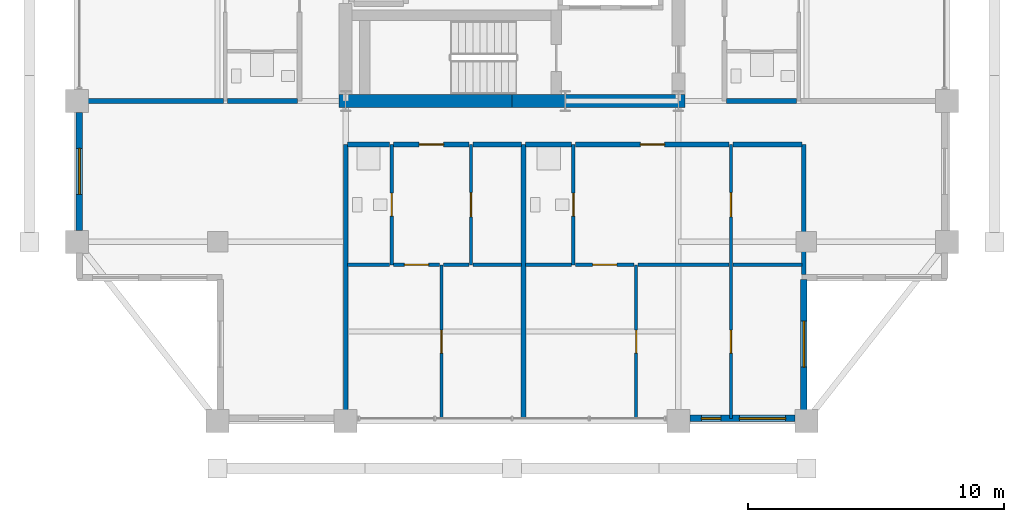
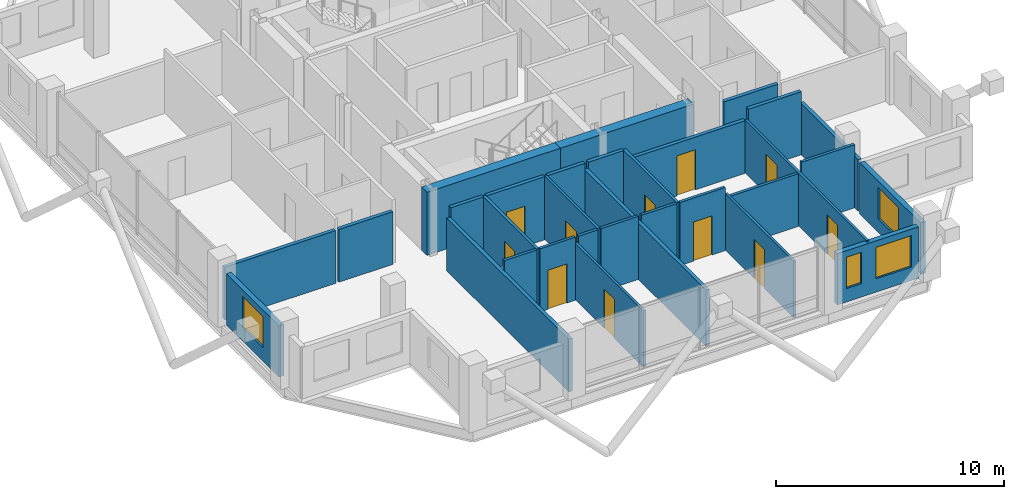
# One storey, part 18 of 24: 31 walls, 11 doors, 4 windows, 15 openings.
"""IFC4 building model written with IfcOpenShell, lengths in metres."""

import ifcopenshell
import ifcopenshell.guid

model = None  # the IFC model being written
_history = None  # IfcOwnerHistory: only IFC2X3 demands one
_inside = {}  # id of a spatial element -> (the spatial element, [elements in it])
_under = {}  # id of a project, library or spatial element -> (it, [spatial elements below it])
_declared = {}  # id of a project -> (the project, [libraries it declares])
_typed = {}  # id of a type object -> (the type object, [elements of that type])
_made_of = {}  # id of a material, layer set ... -> (it, [elements and type objects made of it])


def new_model(schema):
    """Start an empty IFC model of exactly this schema.

    Asked for "IFC4X3", IfcOpenShell would pick the latest addendum, in which some entities
    have other attributes; the version numbers below select the first issue.
    IFC2X3 requires an IfcOwnerHistory on every rooted entity: one is made here for all.
    """
    global model, _history
    if schema == "IFC4X3":
        model = ifcopenshell.file(schema_version=(4, 3, 0, 0))
    else:
        model = ifcopenshell.file(schema=schema)
    _inside.clear()
    _under.clear()
    _declared.clear()
    _typed.clear()
    _made_of.clear()
    _history = None
    if model.schema == "IFC2X3":
        org = make("IfcOrganization", Name="unknown")
        user = make(
            "IfcPersonAndOrganization",
            ThePerson=make("IfcPerson", FamilyName="unknown"),
            TheOrganization=org,
        )
        app = make(
            "IfcApplication",
            ApplicationDeveloper=org,
            Version="unknown",
            ApplicationFullName="unknown",
            ApplicationIdentifier="unknown",
        )
        _history = make(
            "IfcOwnerHistory",
            OwningUser=user,
            OwningApplication=app,
            ChangeAction="ADDED",
            CreationDate=0,
        )
    return model


def make(cls, **values):
    """One entity of the class cls with the attributes given. An attribute that is None is left unset."""
    return model.create_entity(
        cls, **{name: value for name, value in values.items() if value is not None}
    )


def rooted(cls, **values):
    """An entity with a GlobalId (a new one), such as an element, a storey or a relation."""
    return make(cls, GlobalId=ifcopenshell.guid.new(), OwnerHistory=_history, **values)


def si_unit(unit_type, name, prefix=None):
    """IfcSIUnit, for example si_unit("LENGTHUNIT", "METRE", prefix="MILLI")."""
    return make("IfcSIUnit", UnitType=unit_type, Prefix=prefix, Name=name)


def assignment(units):
    """IfcUnitAssignment: the units of a project."""
    return None if units is None else make("IfcUnitAssignment", Units=units)


def point(xyz):
    """IfcCartesianPoint."""
    return None if xyz is None else make("IfcCartesianPoint", Coordinates=xyz)


def direction(xyz):
    """IfcDirection."""
    return None if xyz is None else make("IfcDirection", DirectionRatios=xyz)


def frame(location, z_axis=None, x_axis=None):
    """IfcAxis2Placement3D, a coordinate frame: its origin and axes. An axis left out is left unset."""
    return make(
        "IfcAxis2Placement3D",
        Location=point(location),
        Axis=direction(z_axis),
        RefDirection=direction(x_axis),
    )


def frame_2d(location, x_axis=None):
    """IfcAxis2Placement2D, a coordinate frame in the plane: its origin and x axis."""
    return make(
        "IfcAxis2Placement2D", Location=point(location), RefDirection=direction(x_axis)
    )


def origin():
    """The frame at (0, 0, 0) with its axes left unset."""
    return frame((0.0, 0.0, 0.0))


def place(relative_to, where):
    """IfcLocalPlacement: puts the frame where relative to a parent placement (None: the world)."""
    return make(
        "IfcLocalPlacement", PlacementRelTo=relative_to, RelativePlacement=where
    )


def context(
    kind, dimensions, precision=None, world=None, true_north=None, identifier=None
):
    """IfcGeometricRepresentationContext, for example the 3D "Model" context."""
    return make(
        "IfcGeometricRepresentationContext",
        ContextIdentifier=identifier,
        ContextType=kind,
        CoordinateSpaceDimension=dimensions,
        Precision=precision,
        WorldCoordinateSystem=world,
        TrueNorth=true_north,
    )


def subcontext(parent, identifier, kind, view, scale=None):
    """IfcGeometricRepresentationSubContext, for example "Body" below "Model"."""
    return make(
        "IfcGeometricRepresentationSubContext",
        ContextIdentifier=identifier,
        ContextType=kind,
        ParentContext=parent,
        TargetScale=scale,
        TargetView=view,
    )


def project(units=None, contexts=None):
    """IfcProject with its units and contexts."""
    return rooted(
        "IfcProject",
        Name="project",
        RepresentationContexts=contexts,
        UnitsInContext=assignment(units),
    )


def spatial(cls, under=None, at=None, **own):
    """A site, building, storey or space (cls), placed at a placement, below another one or the project."""
    s = rooted(cls, ObjectPlacement=at, **own)
    if under is not None:
        _under.setdefault(under.id(), (under, []))[1].append(s)
    return s


def profile(cls, at=None, kind="AREA", **sizes):
    """A parametric profile (cls). Its sizes go by their IFC names, for example OverallWidth=200.0."""
    return make(cls, ProfileType=kind, Position=at, **sizes)


def rectangle(**sizes):
    """IfcRectangleProfileDef."""
    return profile("IfcRectangleProfileDef", **sizes)


def extrude(swept, where, along, depth):
    """IfcExtrudedAreaSolid: the profile swept, set in the frame where, extruded along a direction by depth."""
    return make(
        "IfcExtrudedAreaSolid",
        SweptArea=swept,
        Position=where,
        ExtrudedDirection=direction(along),
        Depth=depth,
    )


def shape(context_of_items, identifier, shape_type, items):
    """IfcShapeRepresentation: the items that make up one representation, for example the "Body"."""
    return make(
        "IfcShapeRepresentation",
        ContextOfItems=context_of_items,
        RepresentationIdentifier=identifier,
        RepresentationType=shape_type,
        Items=items,
    )


def material(Name=None, Category=None):
    """IfcMaterial."""
    return make("IfcMaterial", Name=Name, Category=Category)


def layer(
    of_material, thickness, ventilated=None, Name=None, Category=None, Priority=None
):
    """IfcMaterialLayer: one layer of a wall or slab, of a material (None: an air gap)."""
    return make(
        "IfcMaterialLayer",
        Material=of_material,
        LayerThickness=thickness,
        IsVentilated=ventilated,
        Name=Name,
        Category=Category,
        Priority=Priority,
    )


def layer_set(layers, Name=None):
    """IfcMaterialLayerSet."""
    return make("IfcMaterialLayerSet", MaterialLayers=layers, LayerSetName=Name)


def made_of(thing, what):
    """Note that an element or type object is made of a material, layer set ...; save() writes the relation."""
    if what is not None:
        _made_of.setdefault(what.id(), (what, []))[1].append(thing)
    return thing


def type_object(cls, material=None, **own):
    """A type object (cls), such as IfcWallType, which elements share."""
    return made_of(rooted(cls, **own), material)


def element(
    cls,
    number,
    at=None,
    inside=None,
    cuts=None,
    type_object=None,
    material=None,
    context=None,
    identifier="Body",
    shape_type=None,
    held_by="IfcProductDefinitionShape",
    body=None,
    shapes=None,
    **own,
):
    """One element of the class cls, such as IfcWall. Its Tag is "e" and its number.

    at: its placement. inside: the storey or other place that contains it. cuts: it is an
    opening in that element (IfcRelVoidsElement). A single representation is given by context,
    identifier, shape_type and body (its items); several are given by shapes. held_by: the class
    of the entity that holds the representations. save() writes the other relations.
    """
    e = rooted(cls, Tag="e%d" % number, ObjectPlacement=at, **own)
    if body is not None:
        shapes = [shape(context, identifier, shape_type, body)]
    if shapes is not None:
        e.Representation = make(held_by, Representations=shapes)
    if inside is not None:
        _inside.setdefault(inside.id(), (inside, []))[1].append(e)
    if cuts is not None:
        rooted(
            "IfcRelVoidsElement", RelatingBuildingElement=cuts, RelatedOpeningElement=e
        )
    if type_object is not None:
        _typed.setdefault(type_object.id(), (type_object, []))[1].append(e)
    return made_of(e, material)


def fill(opening, filler):
    """IfcRelFillsElement: the door or window that sits in an opening."""
    return rooted(
        "IfcRelFillsElement",
        RelatingOpeningElement=opening,
        RelatedBuildingElement=filler,
    )


def aggregate(whole, parts):
    """IfcRelAggregates: a whole, such as a stair, and the parts it consists of."""
    return rooted("IfcRelAggregates", RelatingObject=whole, RelatedObjects=parts)


def save(model, path):
    """Write the relations noted so far, then the file.

    IfcRelAggregates (storeys below a building ...), IfcRelContainedInSpatialStructure (elements
    in a storey), IfcRelDefinesByType, IfcRelAssociatesMaterial and IfcRelDeclares: one each for
    every whole, place, type object, material and project.
    """
    for whole, parts in _under.values():
        aggregate(whole, parts)
    for where, things in _inside.values():
        rooted(
            "IfcRelContainedInSpatialStructure",
            RelatedElements=things,
            RelatingStructure=where,
        )
    for kind, things in _typed.values():
        rooted("IfcRelDefinesByType", RelatedObjects=things, RelatingType=kind)
    for what, things in _made_of.values():
        rooted("IfcRelAssociatesMaterial", RelatedObjects=things, RelatingMaterial=what)
    for by, libraries in _declared.values():
        rooted("IfcRelDeclares", RelatingContext=by, RelatedDefinitions=libraries)
    model.write(path)


model = new_model("IFC4")

# Units and contexts
model_context = context("Model", 3, precision=1e-05, world=origin(), true_north=direction((0.0, 1.0)))
body_context = subcontext(model_context, "Body", "Model", "MODEL_VIEW")
ifc_project = project(units=[si_unit("LENGTHUNIT", "METRE"), si_unit("AREAUNIT", "SQUARE_METRE"), si_unit("VOLUMEUNIT", "CUBIC_METRE"), si_unit("PLANEANGLEUNIT", "RADIAN"), si_unit("MASSUNIT", "GRAM", prefix="KILO")], contexts=[model_context])

# Site, building, storey
site_placement = place(None, origin())
site = spatial("IfcSite", under=ifc_project, at=site_placement, CompositionType="ELEMENT")
building_placement = place(site_placement, origin())
building = spatial("IfcBuilding", under=site, at=building_placement, Name="Barlavira Tower and Art Museum", CompositionType="ELEMENT")
storey_placement = place(building_placement, frame((0.0, 0.0, 225.89990234375)))
storey = spatial("IfcBuildingStorey", under=building, at=storey_placement, Name="L58", CompositionType="ELEMENT", Elevation=225.89990234375)

# Wall, opening, door
ifc_material_1 = material(Name="Gypsum acoustic stud partition", Category="gypsum")
ifc_layer_1 = layer(ifc_material_1, 0.1201171875, Name="Gypsum acoustic stud partition")
ifc_layer_set_1 = layer_set([ifc_layer_1], Name="Gypsum acoustic stud partition")
wall_type_1 = type_object("IfcWallType", Name="Apartment Internal Acoustic Partition 120", PredefinedType="PARTITIONING", material=ifc_layer_set_1)
wall_1_placement = place(storey_placement, frame((-2.75, -19.89990234375, 0.0), z_axis=(0.0, 0.0, 1.0), x_axis=(0.0, 1.0, 0.0)))
wall_1 = element("IfcWall", 1, at=wall_1_placement, inside=storey, type_object=wall_type_1, Name="L58 Partition Wall 9", PredefinedType="PARTITIONING", context=body_context, shape_type="SweptSolid", body=[
    extrude(rectangle(XDim=6.0, YDim=0.1201171875, at=frame_2d((3.0, 0.0))), origin(), (0.0, 0.0, 1.0), 3.01806640625),
])
opening_1_placement = place(wall_1_placement, frame((2.550048828125, 0.0, 0.0)))
opening_1 = element("IfcOpeningElement", 2, at=opening_1_placement, cuts=wall_1, Name="Opening D-01", PredefinedType="OPENING", context=body_context, shape_type="SweptSolid", body=[
    extrude(rectangle(XDim=0.89990234375, YDim=2.10009765625, at=frame_2d((0.449951171875, 1.050048828125))), frame((0.0, 0.070068359375, 0.0), z_axis=(0.0, -1.0, 0.0), x_axis=(1.0, 0.0, 0.0)), (0.0, 0.0, 1.0), 0.14013671875),
])
ifc_material_2 = material(Name="Engineered coastal hardwood", Category="wood")
door_type_1 = type_object("IfcDoorType", Name="Internal Bedroom Timber Flush Door 900x2100", OperationType="NOTDEFINED", PredefinedType="DOOR", material=ifc_material_2)
door_1_placement = place(opening_1_placement, origin())
door_1 = element("IfcDoor", 3, at=door_1_placement, inside=storey, type_object=door_type_1, Name="Apartment S1 Bedroom 1 Door", OperationType="SINGLE_SWING_RIGHT", OverallHeight=2.10009765625, OverallWidth=0.89990234375, PredefinedType="DOOR", context=body_context, shape_type="SweptSolid", body=[
    extrude(rectangle(XDim=0.89990234375, YDim=2.10009765625, at=frame_2d((0.449951171875, 1.050048828125))), frame((0.0, 0.02490234375, 0.0), z_axis=(0.0, -1.0, 0.0), x_axis=(1.0, 0.0, 0.0)), (0.0, 0.0, 1.0), 0.050048828125),
])
fill(opening_1, door_1)

wall_2_placement = place(storey_placement, frame((-1.60009765625, -13.89990234375, 0.0), z_axis=(0.0, 0.0, 1.0), x_axis=(0.0, 1.0, 0.0)))
wall_2 = element("IfcWall", 4, at=wall_2_placement, inside=storey, type_object=wall_type_1, Name="L58 Partition Wall 11", PredefinedType="PARTITIONING", context=body_context, shape_type="SweptSolid", body=[
    extrude(rectangle(XDim=4.699951171875, YDim=0.1201171875, at=frame_2d((2.35009765625, 0.0))), origin(), (0.0, 0.0, 1.0), 3.380126953125),
])
opening_2_placement = place(wall_2_placement, frame((1.875, 0.0, 0.0)))
opening_2 = element("IfcOpeningElement", 5, at=opening_2_placement, cuts=wall_2, Name="Opening D-02", PredefinedType="OPENING", context=body_context, shape_type="SweptSolid", body=[
    extrude(rectangle(XDim=0.949951171875, YDim=2.10009765625, at=frame_2d((0.47509765625, 1.050048828125))), frame((0.0, 0.070068359375, 0.0), z_axis=(0.0, -1.0, 0.0), x_axis=(1.0, 0.0, 0.0)), (0.0, 0.0, 1.0), 0.14013671875),
])
door_type_2 = type_object("IfcDoorType", Name="Living and Salon Glazed-Leaf Door 950x2100", OperationType="NOTDEFINED", PredefinedType="DOOR", material=ifc_material_2)
door_2_placement = place(opening_2_placement, origin())
door_2 = element("IfcDoor", 6, at=door_2_placement, inside=storey, type_object=door_type_2, Name="Apartment S1 Kitchen Door", OperationType="SINGLE_SWING_RIGHT", OverallHeight=2.10009765625, OverallWidth=0.949951171875, PredefinedType="DOOR", context=body_context, shape_type="SweptSolid", body=[
    extrude(rectangle(XDim=0.949951171875, YDim=2.10009765625, at=frame_2d((0.47509765625, 1.050048828125))), frame((0.0, 0.02490234375, 0.0), z_axis=(0.0, -1.0, 0.0), x_axis=(1.0, 0.0, 0.0)), (0.0, 0.0, 1.0), 0.050048828125),
])
fill(opening_2, door_2)

wall_3_placement = place(storey_placement, frame((4.85009765625, -19.89990234375, 0.0), z_axis=(0.0, 0.0, 1.0), x_axis=(0.0, 1.0, 0.0)))
wall_3 = element("IfcWall", 7, at=wall_3_placement, inside=storey, type_object=wall_type_1, Name="L58 Partition Wall 19", PredefinedType="PARTITIONING", context=body_context, shape_type="SweptSolid", body=[
    extrude(rectangle(XDim=6.0, YDim=0.1201171875, at=frame_2d((3.0, 0.0))), origin(), (0.0, 0.0, 1.0), 3.01806640625),
])
opening_3_placement = place(wall_3_placement, frame((2.550048828125, 0.0, 0.0)))
opening_3 = element("IfcOpeningElement", 8, at=opening_3_placement, cuts=wall_3, Name="Opening D-01", PredefinedType="OPENING", context=body_context, shape_type="SweptSolid", body=[
    extrude(rectangle(XDim=0.89990234375, YDim=2.10009765625, at=frame_2d((0.449951171875, 1.050048828125))), frame((0.0, 0.070068359375, 0.0), z_axis=(0.0, -1.0, 0.0), x_axis=(1.0, 0.0, 0.0)), (0.0, 0.0, 1.0), 0.14013671875),
])
door_3_placement = place(opening_3_placement, origin())
door_3 = element("IfcDoor", 9, at=door_3_placement, inside=storey, type_object=door_type_1, Name="Apartment S2 Bedroom 1 Door", OperationType="SINGLE_SWING_LEFT", OverallHeight=2.10009765625, OverallWidth=0.89990234375, PredefinedType="DOOR", context=body_context, shape_type="SweptSolid", body=[
    extrude(rectangle(XDim=0.89990234375, YDim=2.10009765625, at=frame_2d((0.449951171875, 1.050048828125))), frame((0.0, 0.02490234375, 0.0), z_axis=(0.0, -1.0, 0.0), x_axis=(1.0, 0.0, 0.0)), (0.0, 0.0, 1.0), 0.050048828125),
])
fill(opening_3, door_3)

# Wall, openings, doors
wall_4_placement = place(storey_placement, frame((8.550048828125, -19.89990234375, 0.0), z_axis=(0.0, 0.0, 1.0), x_axis=(0.0, 1.0, 0.0)))
wall_4 = element("IfcWall", 10, at=wall_4_placement, inside=storey, type_object=wall_type_1, Name="L58 Partition Wall 24", PredefinedType="PARTITIONING", context=body_context, shape_type="SweptSolid", body=[
    extrude(rectangle(XDim=10.699951171875, YDim=0.1201171875, at=frame_2d((5.35009765625, 0.0))), origin(), (0.0, 0.0, 1.0), 2.826171875),
])
opening_4_placement = place(wall_4_placement, frame((7.875, 0.0, 0.0)))
opening_4 = element("IfcOpeningElement", 11, at=opening_4_placement, cuts=wall_4, Name="Opening D-02", PredefinedType="OPENING", context=body_context, shape_type="SweptSolid", body=[
    extrude(rectangle(XDim=0.949951171875, YDim=2.10009765625, at=frame_2d((0.47509765625, 1.050048828125))), frame((0.0, 0.070068359375, 0.0), z_axis=(0.0, -1.0, 0.0), x_axis=(1.0, 0.0, 0.0)), (0.0, 0.0, 1.0), 0.14013671875),
])
opening_5_placement = place(wall_4_placement, frame((2.550048828125, 0.0, 0.0)))
opening_5 = element("IfcOpeningElement", 12, at=opening_5_placement, cuts=wall_4, Name="Opening D-01", PredefinedType="OPENING", context=body_context, shape_type="SweptSolid", body=[
    extrude(rectangle(XDim=0.89990234375, YDim=2.10009765625, at=frame_2d((0.449951171875, 1.050048828125))), frame((0.0, 0.070068359375, 0.0), z_axis=(0.0, -1.0, 0.0), x_axis=(1.0, 0.0, 0.0)), (0.0, 0.0, 1.0), 0.14013671875),
])
door_4_placement = place(opening_5_placement, origin())
door_4 = element("IfcDoor", 13, at=door_4_placement, inside=storey, type_object=door_type_1, Name="Apartment S2 Bedroom 2 Door", OperationType="SINGLE_SWING_RIGHT", OverallHeight=2.10009765625, OverallWidth=0.89990234375, PredefinedType="DOOR", context=body_context, shape_type="SweptSolid", body=[
    extrude(rectangle(XDim=0.89990234375, YDim=2.10009765625, at=frame_2d((0.449951171875, 1.050048828125))), frame((0.0, 0.02490234375, 0.0), z_axis=(0.0, -1.0, 0.0), x_axis=(1.0, 0.0, 0.0)), (0.0, 0.0, 1.0), 0.050048828125),
])
fill(opening_5, door_4)
door_5_placement = place(opening_4_placement, origin())
door_5 = element("IfcDoor", 14, at=door_5_placement, inside=storey, type_object=door_type_2, Name="Apartment S2 Kitchen Door", OperationType="SINGLE_SWING_LEFT", OverallHeight=2.10009765625, OverallWidth=0.949951171875, PredefinedType="DOOR", context=body_context, shape_type="SweptSolid", body=[
    extrude(rectangle(XDim=0.949951171875, YDim=2.10009765625, at=frame_2d((0.47509765625, 1.050048828125))), frame((0.0, 0.02490234375, 0.0), z_axis=(0.0, -1.0, 0.0), x_axis=(1.0, 0.0, 0.0)), (0.0, 0.0, 1.0), 0.050048828125),
])
fill(opening_4, door_5)

# Walls
ifc_material_3 = material(Name="Concrete C60", Category="concrete")
ifc_layer_2 = layer(ifc_material_3, 0.5, Name="Concrete C60")
ifc_layer_set_2 = layer_set([ifc_layer_2], Name="Concrete C60")
wall_type_2 = type_object("IfcWallType", Name="Core Structural Shear Wall 500 Concrete C60", PredefinedType="SHEAR", material=ifc_layer_set_2)
for number, where, z_axis, x_axis, name in (
    (15, (-6.75, -7.5, 0.0), (0.0, 0.0, 1.0), (1.0, 0.0, 0.0), "L58 Core Shear Wall CS-SW"),
    (16, (0.0, -7.5, 0.0), (0.0, 0.0, 1.0), (1.0, 0.0, 0.0), "L58 Core Shear Wall CS-SE"),
):
    element("IfcWall", number, at=place(storey_placement, frame(where, z_axis=z_axis, x_axis=x_axis)), inside=storey, type_object=wall_type_2, Name=name, PredefinedType="SHEAR", context=body_context, shape_type="SweptSolid", body=[
        extrude(rectangle(XDim=6.75, YDim=0.5, at=frame_2d((3.375, 0.0))), origin(), (0.0, 0.0, 1.0), 3.380126953125),
    ])
ifc_layer_3 = layer(ifc_material_1, 0.179931640625, Name="Gypsum acoustic stud partition")
ifc_layer_set_3 = layer_set([ifc_layer_3], Name="Gypsum acoustic stud partition")
wall_type_3 = type_object("IfcWallType", Name="Inter-Tenancy Party Partition Wall 180", PredefinedType="PARTITIONING", material=ifc_layer_set_3)
wall_5_placement = place(storey_placement, frame((-6.5, -19.89990234375, 0.0), z_axis=(0.0, 0.0, 1.0), x_axis=(0.0, 1.0, 0.0)))
element("IfcWall", 17, at=wall_5_placement, inside=storey, type_object=wall_type_3, Name="L58 Partition Wall 3", PredefinedType="PARTITIONING", context=body_context, shape_type="SweptSolid", body=[
    extrude(rectangle(XDim=10.699951171875, YDim=0.179931640625, at=frame_2d((5.35009765625, 0.0))), origin(), (0.0, 0.0, 1.0), 2.826171875),
])
wall_6_placement = place(storey_placement, frame((0.449951171875, -19.89990234375, 0.0), z_axis=(0.0, 0.0, 1.0), x_axis=(0.0, 1.0, 0.0)))
element("IfcWall", 18, at=wall_6_placement, inside=storey, type_object=wall_type_3, Name="L58 Partition Wall 13", PredefinedType="PARTITIONING", context=body_context, shape_type="SweptSolid", body=[
    extrude(rectangle(XDim=10.699951171875, YDim=0.179931640625, at=frame_2d((5.35009765625, 0.0))), origin(), (0.0, 0.0, 1.0), 3.01806640625),
])
wall_7_placement = place(storey_placement, frame((11.39990234375, -14.27001953125, 0.0), z_axis=(0.0, 0.0, 1.0), x_axis=(0.0, 1.0, 0.0)))
element("IfcWall", 19, at=wall_7_placement, inside=storey, type_object=wall_type_3, Name="L58 Partition Wall 28", PredefinedType="PARTITIONING", context=body_context, shape_type="SweptSolid", body=[
    extrude(rectangle(XDim=5.070068359375, YDim=0.179931640625, at=frame_2d((2.53515625, 0.0))), origin(), (0.0, 0.0, 1.0), 2.748046875),
])
wall_8_placement = place(storey_placement, frame((-6.419921875, -9.199951171875, 0.0), z_axis=(0.0, 0.0, 1.0), x_axis=(1.0, 0.0, 0.0)))
element("IfcWall", 20, at=wall_8_placement, inside=storey, type_object=wall_type_3, Name="L58 Partition Wall 38", PredefinedType="PARTITIONING", context=body_context, shape_type="SweptSolid", body=[
    extrude(rectangle(XDim=1.639892578125, YDim=0.179931640625, at=frame_2d((0.81982421875, 0.0))), origin(), (0.0, 0.0, 1.0), 3.380126953125),
])

# Wall, opening, door
wall_9_placement = place(storey_placement, frame((-4.6201171875, -9.199951171875, 0.0), z_axis=(0.0, 0.0, 1.0), x_axis=(1.0, 0.0, 0.0)))
wall_9 = element("IfcWall", 21, at=wall_9_placement, inside=storey, type_object=wall_type_3, Name="L58 Partition Wall 39", PredefinedType="PARTITIONING", context=body_context, shape_type="SweptSolid", body=[
    extrude(rectangle(XDim=2.940185546875, YDim=0.179931640625, at=frame_2d((1.47021484375, 0.0))), origin(), (0.0, 0.0, 1.0), 3.380126953125),
])
opening_6_placement = place(wall_9_placement, frame((0.9951171875, 0.0, 0.0)))
opening_6 = element("IfcOpeningElement", 22, at=opening_6_placement, cuts=wall_9, Name="Opening FD-60", PredefinedType="OPENING", context=body_context, shape_type="SweptSolid", body=[
    extrude(rectangle(XDim=0.949951171875, YDim=2.14990234375, at=frame_2d((0.47509765625, 1.074951171875))), frame((0.0, 0.10009765625, 0.0), z_axis=(0.0, -1.0, 0.0), x_axis=(1.0, 0.0, 0.0)), (0.0, 0.0, 1.0), 0.199951171875),
])
ifc_material_4 = material(Name="Brushed stainless steel", Category="steel")
door_type_3 = type_object("IfcDoorType", Name="Apartment Entrance and Riser Fire Door 950x2150 FD60S", OperationType="NOTDEFINED", PredefinedType="DOOR", material=ifc_material_4)
door_6_placement = place(opening_6_placement, origin())
door_6 = element("IfcDoor", 23, at=door_6_placement, inside=storey, type_object=door_type_3, Name="Apartment Entrance Hall S1 Door", OperationType="SINGLE_SWING_LEFT", OverallHeight=2.14990234375, OverallWidth=0.949951171875, PredefinedType="DOOR", context=body_context, shape_type="SweptSolid", body=[
    extrude(rectangle(XDim=0.949951171875, YDim=2.14990234375, at=frame_2d((0.47509765625, 1.074951171875))), frame((0.0, 0.02490234375, 0.0), z_axis=(0.0, -1.0, 0.0), x_axis=(1.0, 0.0, 0.0)), (0.0, 0.0, 1.0), 0.050048828125),
])
fill(opening_6, door_6)

# Walls
wall_10_placement = place(storey_placement, frame((-1.52001953125, -9.199951171875, 0.0), z_axis=(0.0, 0.0, 1.0), x_axis=(1.0, 0.0, 0.0)))
element("IfcWall", 24, at=wall_10_placement, inside=storey, type_object=wall_type_3, Name="L58 Partition Wall 40", PredefinedType="PARTITIONING", context=body_context, shape_type="SweptSolid", body=[
    extrude(rectangle(XDim=1.89013671875, YDim=0.179931640625, at=frame_2d((0.945068359375, 0.0))), origin(), (0.0, 0.0, 1.0), 3.380126953125),
])
wall_11_placement = place(storey_placement, frame((0.530029296875, -9.199951171875, 0.0), z_axis=(0.0, 0.0, 1.0), x_axis=(1.0, 0.0, 0.0)))
element("IfcWall", 25, at=wall_11_placement, inside=storey, type_object=wall_type_3, Name="L58 Partition Wall 41", PredefinedType="PARTITIONING", context=body_context, shape_type="SweptSolid", body=[
    extrude(rectangle(XDim=1.7900390625, YDim=0.179931640625, at=frame_2d((0.89501953125, 0.0))), origin(), (0.0, 0.0, 1.0), 3.380126953125),
])

# Wall, opening, door
wall_12_placement = place(storey_placement, frame((2.47998046875, -9.199951171875, 0.0), z_axis=(0.0, 0.0, 1.0), x_axis=(1.0, 0.0, 0.0)))
wall_12 = element("IfcWall", 26, at=wall_12_placement, inside=storey, type_object=wall_type_3, Name="L58 Partition Wall 42", PredefinedType="PARTITIONING", context=body_context, shape_type="SweptSolid", body=[
    extrude(rectangle(XDim=5.989990234375, YDim=0.179931640625, at=frame_2d((2.9951171875, 0.0))), origin(), (0.0, 0.0, 1.0), 2.826171875),
])
opening_7_placement = place(wall_12_placement, frame((2.534912109375, 0.0, 0.0)))
opening_7 = element("IfcOpeningElement", 27, at=opening_7_placement, cuts=wall_12, Name="Opening FD-60", PredefinedType="OPENING", context=body_context, shape_type="SweptSolid", body=[
    extrude(rectangle(XDim=0.949951171875, YDim=2.14990234375, at=frame_2d((0.47509765625, 1.074951171875))), frame((0.0, 0.10009765625, 0.0), z_axis=(0.0, -1.0, 0.0), x_axis=(1.0, 0.0, 0.0)), (0.0, 0.0, 1.0), 0.199951171875),
])
door_7_placement = place(opening_7_placement, origin())
door_7 = element("IfcDoor", 28, at=door_7_placement, inside=storey, type_object=door_type_3, Name="Apartment Entrance Hall S2 Door", OperationType="SINGLE_SWING_RIGHT", OverallHeight=2.14990234375, OverallWidth=0.949951171875, PredefinedType="DOOR", context=body_context, shape_type="SweptSolid", body=[
    extrude(rectangle(XDim=0.949951171875, YDim=2.14990234375, at=frame_2d((0.47509765625, 1.074951171875))), frame((0.0, 0.02490234375, 0.0), z_axis=(0.0, -1.0, 0.0), x_axis=(1.0, 0.0, 0.0)), (0.0, 0.0, 1.0), 0.050048828125),
])
fill(opening_7, door_7)

# Walls
wall_13_placement = place(storey_placement, frame((8.6298828125, -9.199951171875, 0.0), z_axis=(0.0, 0.0, 1.0), x_axis=(1.0, 0.0, 0.0)))
element("IfcWall", 29, at=wall_13_placement, inside=storey, type_object=wall_type_3, Name="L58 Partition Wall 43", PredefinedType="PARTITIONING", context=body_context, shape_type="SweptSolid", body=[
    extrude(rectangle(XDim=2.690185546875, YDim=0.179931640625, at=frame_2d((1.34521484375, 0.0))), origin(), (0.0, 0.0, 1.0), 3.380126953125),
])
wall_14_placement = place(storey_placement, frame((-16.89990234375, -7.5, 0.0), z_axis=(0.0, 0.0, 1.0), x_axis=(1.0, 0.0, 0.0)))
element("IfcWall", 30, at=wall_14_placement, inside=storey, type_object=wall_type_3, Name="L58 Partition Wall 44", PredefinedType="PARTITIONING", context=body_context, shape_type="SweptSolid", body=[
    extrude(rectangle(XDim=5.619873046875, YDim=0.179931640625, at=frame_2d((2.81005859375, 0.0))), origin(), (0.0, 0.0, 1.0), 2.826171875),
])
for number, where, z_axis, x_axis, name in (
    (31, (-11.1201171875, -7.5, 0.0), (0.0, 0.0, 1.0), (1.0, 0.0, 0.0), "L58 Partition Wall 45"),
    (32, (8.3798828125, -7.5, 0.0), (0.0, 0.0, 1.0), (1.0, 0.0, 0.0), "L58 Partition Wall 46"),
):
    element("IfcWall", number, at=place(storey_placement, frame(where, z_axis=z_axis, x_axis=x_axis)), inside=storey, type_object=wall_type_3, Name=name, PredefinedType="PARTITIONING", context=body_context, shape_type="SweptSolid", body=[
        extrude(rectangle(XDim=2.740234375, YDim=0.179931640625, at=frame_2d((1.3701171875, 0.0))), origin(), (0.0, 0.0, 1.0), 2.826171875),
    ])

# Wall, opening, door
ifc_layer_4 = layer(ifc_material_1, 0.139892578125, Name="Gypsum acoustic stud partition")
ifc_layer_set_4 = layer_set([ifc_layer_4], Name="Gypsum acoustic stud partition")
wall_type_4 = type_object("IfcWallType", Name="Moisture-Resistant Bathroom Partition 140", PredefinedType="PARTITIONING", material=ifc_layer_set_4)
wall_15_placement = place(storey_placement, frame((-4.699951171875, -13.89990234375, 0.0), z_axis=(0.0, 0.0, 1.0), x_axis=(0.0, 1.0, 0.0)))
wall_15 = element("IfcWall", 33, at=wall_15_placement, inside=storey, type_object=wall_type_4, Name="L58 Partition Wall 6", PredefinedType="PARTITIONING", context=body_context, shape_type="SweptSolid", body=[
    extrude(rectangle(XDim=4.699951171875, YDim=0.139892578125, at=frame_2d((2.35009765625, 0.0))), origin(), (0.0, 0.0, 1.0), 3.380126953125),
])
opening_8_placement = place(wall_15_placement, frame((1.89990234375, 0.0, 0.0)))
opening_8 = element("IfcOpeningElement", 34, at=opening_8_placement, cuts=wall_15, Name="Opening D-WC", PredefinedType="OPENING", context=body_context, shape_type="SweptSolid", body=[
    extrude(rectangle(XDim=0.89990234375, YDim=2.10009765625, at=frame_2d((0.449951171875, 1.050048828125))), frame((0.0, 0.080078125, 0.0), z_axis=(0.0, -1.0, 0.0), x_axis=(1.0, 0.0, 0.0)), (0.0, 0.0, 1.0), 0.159912109375),
])
door_type_4 = type_object("IfcDoorType", Name="Accessible Bathroom Flush Door 900x2100", OperationType="NOTDEFINED", PredefinedType="DOOR", material=ifc_material_2)
door_8_placement = place(opening_8_placement, origin())
door_8 = element("IfcDoor", 35, at=door_8_placement, inside=storey, type_object=door_type_4, Name="Apartment S1 Hall Bathroom Door", OperationType="SINGLE_SWING_RIGHT", OverallHeight=2.10009765625, OverallWidth=0.89990234375, PredefinedType="DOOR", context=body_context, shape_type="SweptSolid", body=[
    extrude(rectangle(XDim=0.89990234375, YDim=2.10009765625, at=frame_2d((0.449951171875, 1.050048828125))), frame((0.0, 0.02490234375, 0.0), z_axis=(0.0, -1.0, 0.0), x_axis=(1.0, 0.0, 0.0)), (0.0, 0.0, 1.0), 0.050048828125),
])
fill(opening_8, door_8)

wall_16_placement = place(storey_placement, frame((2.39990234375, -13.89990234375, 0.0), z_axis=(0.0, 0.0, 1.0), x_axis=(0.0, 1.0, 0.0)))
wall_16 = element("IfcWall", 36, at=wall_16_placement, inside=storey, type_object=wall_type_4, Name="L58 Partition Wall 15", PredefinedType="PARTITIONING", context=body_context, shape_type="SweptSolid", body=[
    extrude(rectangle(XDim=4.699951171875, YDim=0.139892578125, at=frame_2d((2.35009765625, 0.0))), origin(), (0.0, 0.0, 1.0), 3.380126953125),
])
opening_9_placement = place(wall_16_placement, frame((1.89990234375, 0.0, 0.0)))
opening_9 = element("IfcOpeningElement", 37, at=opening_9_placement, cuts=wall_16, Name="Opening D-WC", PredefinedType="OPENING", context=body_context, shape_type="SweptSolid", body=[
    extrude(rectangle(XDim=0.89990234375, YDim=2.10009765625, at=frame_2d((0.449951171875, 1.050048828125))), frame((0.0, 0.080078125, 0.0), z_axis=(0.0, -1.0, 0.0), x_axis=(1.0, 0.0, 0.0)), (0.0, 0.0, 1.0), 0.159912109375),
])
door_9_placement = place(opening_9_placement, origin())
door_9 = element("IfcDoor", 38, at=door_9_placement, inside=storey, type_object=door_type_4, Name="Apartment S2 Hall Bathroom Door", OperationType="SINGLE_SWING_LEFT", OverallHeight=2.10009765625, OverallWidth=0.89990234375, PredefinedType="DOOR", context=body_context, shape_type="SweptSolid", body=[
    extrude(rectangle(XDim=0.89990234375, YDim=2.10009765625, at=frame_2d((0.449951171875, 1.050048828125))), frame((0.0, 0.02490234375, 0.0), z_axis=(0.0, -1.0, 0.0), x_axis=(1.0, 0.0, 0.0)), (0.0, 0.0, 1.0), 0.050048828125),
])
fill(opening_9, door_9)

# Wall
wall_17_placement = place(storey_placement, frame((-6.419921875, -13.89990234375, 0.0), z_axis=(0.0, 0.0, 1.0), x_axis=(1.0, 0.0, 0.0)))
element("IfcWall", 39, at=wall_17_placement, inside=storey, type_object=wall_type_4, Name="L58 Partition Wall 30", PredefinedType="PARTITIONING", context=body_context, shape_type="SweptSolid", body=[
    extrude(rectangle(XDim=1.639892578125, YDim=0.139892578125, at=frame_2d((0.81982421875, 0.0))), origin(), (0.0, 0.0, 1.0), 3.380126953125),
])

# Wall, opening, door
wall_18_placement = place(storey_placement, frame((-4.6201171875, -13.89990234375, 0.0), z_axis=(0.0, 0.0, 1.0), x_axis=(1.0, 0.0, 0.0)))
wall_18 = element("IfcWall", 40, at=wall_18_placement, inside=storey, type_object=wall_type_4, Name="L58 Partition Wall 31", PredefinedType="PARTITIONING", context=body_context, shape_type="SweptSolid", body=[
    extrude(rectangle(XDim=1.7900390625, YDim=0.139892578125, at=frame_2d((0.89501953125, 0.0))), origin(), (0.0, 0.0, 1.0), 3.380126953125),
])
opening_10_placement = place(wall_18_placement, frame((0.4150390625, 0.0, 0.0)))
opening_10 = element("IfcOpeningElement", 41, at=opening_10_placement, cuts=wall_18, Name="Opening D-02", PredefinedType="OPENING", context=body_context, shape_type="SweptSolid", body=[
    extrude(rectangle(XDim=0.949951171875, YDim=2.10009765625, at=frame_2d((0.47509765625, 1.050048828125))), frame((0.0, 0.080078125, 0.0), z_axis=(0.0, -1.0, 0.0), x_axis=(1.0, 0.0, 0.0)), (0.0, 0.0, 1.0), 0.159912109375),
])
door_10_placement = place(opening_10_placement, origin())
door_10 = element("IfcDoor", 42, at=door_10_placement, inside=storey, type_object=door_type_2, Name="Apartment S1 Living Lounge Door", OperationType="SINGLE_SWING_LEFT", OverallHeight=2.10009765625, OverallWidth=0.949951171875, PredefinedType="DOOR", context=body_context, shape_type="SweptSolid", body=[
    extrude(rectangle(XDim=0.949951171875, YDim=2.10009765625, at=frame_2d((0.47509765625, 1.050048828125))), frame((0.0, 0.02490234375, 0.0), z_axis=(0.0, -1.0, 0.0), x_axis=(1.0, 0.0, 0.0)), (0.0, 0.0, 1.0), 0.050048828125),
])
fill(opening_10, door_10)

# Walls
wall_19_placement = place(storey_placement, frame((-2.669921875, -13.89990234375, 0.0), z_axis=(0.0, 0.0, 1.0), x_axis=(1.0, 0.0, 0.0)))
element("IfcWall", 43, at=wall_19_placement, inside=storey, type_object=wall_type_4, Name="L58 Partition Wall 32", PredefinedType="PARTITIONING", context=body_context, shape_type="SweptSolid", body=[
    extrude(rectangle(XDim=0.989990234375, YDim=0.139892578125, at=frame_2d((0.4951171875, 0.0))), origin(), (0.0, 0.0, 1.0), 3.380126953125),
])
wall_20_placement = place(storey_placement, frame((-1.52001953125, -13.89990234375, 0.0), z_axis=(0.0, 0.0, 1.0), x_axis=(1.0, 0.0, 0.0)))
element("IfcWall", 44, at=wall_20_placement, inside=storey, type_object=wall_type_4, Name="L58 Partition Wall 33", PredefinedType="PARTITIONING", context=body_context, shape_type="SweptSolid", body=[
    extrude(rectangle(XDim=1.89013671875, YDim=0.139892578125, at=frame_2d((0.945068359375, 0.0))), origin(), (0.0, 0.0, 1.0), 3.380126953125),
])
wall_21_placement = place(storey_placement, frame((0.530029296875, -13.89990234375, 0.0), z_axis=(0.0, 0.0, 1.0), x_axis=(1.0, 0.0, 0.0)))
element("IfcWall", 45, at=wall_21_placement, inside=storey, type_object=wall_type_4, Name="L58 Partition Wall 34", PredefinedType="PARTITIONING", context=body_context, shape_type="SweptSolid", body=[
    extrude(rectangle(XDim=1.7900390625, YDim=0.139892578125, at=frame_2d((0.89501953125, 0.0))), origin(), (0.0, 0.0, 1.0), 3.380126953125),
])

# Wall, opening, door
wall_22_placement = place(storey_placement, frame((2.47998046875, -13.89990234375, 0.0), z_axis=(0.0, 0.0, 1.0), x_axis=(1.0, 0.0, 0.0)))
wall_22 = element("IfcWall", 46, at=wall_22_placement, inside=storey, type_object=wall_type_4, Name="L58 Partition Wall 35", PredefinedType="PARTITIONING", context=body_context, shape_type="SweptSolid", body=[
    extrude(rectangle(XDim=2.2900390625, YDim=0.139892578125, at=frame_2d((1.14501953125, 0.0))), origin(), (0.0, 0.0, 1.0), 3.380126953125),
])
opening_11_placement = place(wall_22_placement, frame((0.6650390625, 0.0, 0.0)))
opening_11 = element("IfcOpeningElement", 47, at=opening_11_placement, cuts=wall_22, Name="Opening D-02", PredefinedType="OPENING", context=body_context, shape_type="SweptSolid", body=[
    extrude(rectangle(XDim=0.949951171875, YDim=2.10009765625, at=frame_2d((0.47509765625, 1.050048828125))), frame((0.0, 0.080078125, 0.0), z_axis=(0.0, -1.0, 0.0), x_axis=(1.0, 0.0, 0.0)), (0.0, 0.0, 1.0), 0.159912109375),
])
door_11_placement = place(opening_11_placement, origin())
door_11 = element("IfcDoor", 48, at=door_11_placement, inside=storey, type_object=door_type_2, Name="Apartment S2 Living Lounge Door", OperationType="SINGLE_SWING_RIGHT", OverallHeight=2.10009765625, OverallWidth=0.949951171875, PredefinedType="DOOR", context=body_context, shape_type="SweptSolid", body=[
    extrude(rectangle(XDim=0.949951171875, YDim=2.10009765625, at=frame_2d((0.47509765625, 1.050048828125))), frame((0.0, 0.02490234375, 0.0), z_axis=(0.0, -1.0, 0.0), x_axis=(1.0, 0.0, 0.0)), (0.0, 0.0, 1.0), 0.050048828125),
])
fill(opening_11, door_11)

# Walls
wall_23_placement = place(storey_placement, frame((4.929931640625, -13.89990234375, 0.0), z_axis=(0.0, 0.0, 1.0), x_axis=(1.0, 0.0, 0.0)))
element("IfcWall", 49, at=wall_23_placement, inside=storey, type_object=wall_type_4, Name="L58 Partition Wall 36", PredefinedType="PARTITIONING", context=body_context, shape_type="SweptSolid", body=[
    extrude(rectangle(XDim=3.5400390625, YDim=0.139892578125, at=frame_2d((1.77001953125, 0.0))), origin(), (0.0, 0.0, 1.0), 2.826171875),
])
wall_24_placement = place(storey_placement, frame((8.6298828125, -13.89990234375, 0.0), z_axis=(0.0, 0.0, 1.0), x_axis=(1.0, 0.0, 0.0)))
element("IfcWall", 50, at=wall_24_placement, inside=storey, type_object=wall_type_4, Name="L58 Partition Wall 37", PredefinedType="PARTITIONING", context=body_context, shape_type="SweptSolid", body=[
    extrude(rectangle(XDim=2.690185546875, YDim=0.139892578125, at=frame_2d((1.34521484375, 0.0))), origin(), (0.0, 0.0, 1.0), 3.380126953125),
])

# Wall, openings, windows
ifc_material_5 = material(Name="Precast concrete C40", Category="concrete")
ifc_layer_5 = layer(ifc_material_5, 0.25, Name="Precast concrete C40")
ifc_layer_set_5 = layer_set([ifc_layer_5], Name="Precast concrete C40")
wall_type_5 = type_object("IfcWallType", Name="Notched Corner Spandrel Wall 250 Precast Concrete C40", PredefinedType="SOLIDWALL", material=ifc_layer_set_5)
wall_25_placement = place(storey_placement, frame((6.945068359375, -19.89990234375, 0.0), z_axis=(0.0, 0.0, 1.0), x_axis=(1.0, 0.0, 0.0)))
wall_25 = element("IfcWall", 51, at=wall_25_placement, inside=storey, type_object=wall_type_5, Name="L58 Coastal Facade Pier Wall CW4-L58-S-3", PredefinedType="SOLIDWALL", context=body_context, shape_type="SweptSolid", body=[
    extrude(rectangle(XDim=4.10986328125, YDim=0.25, at=frame_2d((2.054931640625, 0.0))), origin(), (0.0, 0.0, 1.0), 2.748046875),
])
opening_12_placement = place(wall_25_placement, frame((0.449951171875, 0.0, 0.719970703125)))
opening_12 = element("IfcOpeningElement", 52, at=opening_12_placement, cuts=wall_25, Name="Opening WN-06", PredefinedType="OPENING", context=body_context, shape_type="SweptSolid", body=[
    extrude(rectangle(XDim=0.760009765625, YDim=1.679931640625, at=frame_2d((0.3798828125, 0.83984375))), frame((0.0, 0.135009765625, 0.0), z_axis=(0.0, -1.0, 0.0), x_axis=(1.0, 0.0, 0.0)), (0.0, 0.0, 1.0), 0.27001953125),
])
opening_13_placement = place(wall_25_placement, frame((1.93994140625, 0.0, 0.719970703125)))
opening_13 = element("IfcOpeningElement", 53, at=opening_13_placement, cuts=wall_25, Name="Opening WN-01", PredefinedType="OPENING", context=body_context, shape_type="SweptSolid", body=[
    extrude(rectangle(XDim=1.800048828125, YDim=1.679931640625, at=frame_2d((0.89990234375, 0.83984375))), frame((0.0, 0.135009765625, 0.0), z_axis=(0.0, -1.0, 0.0), x_axis=(1.0, 0.0, 0.0)), (0.0, 0.0, 1.0), 0.27001953125),
])
ifc_material_6 = material(Name="Low-iron coastal laminated glass", Category="glass")
window_type_1 = type_object("IfcWindowType", Name="Recessed Narrow Pier Window 760x1680", PartitioningType="SINGLE_PANEL", PredefinedType="WINDOW", material=ifc_material_6)
window_1_placement = place(opening_12_placement, origin())
window_1 = element("IfcWindow", 54, at=window_1_placement, inside=storey, type_object=window_type_1, Name="L58 Punched Facade Window EWP-CW4-L58-S-3-1", OverallHeight=1.679931640625, OverallWidth=0.760009765625, PartitioningType="SINGLE_PANEL", PredefinedType="WINDOW", context=body_context, shape_type="SweptSolid", body=[
    extrude(rectangle(XDim=0.760009765625, YDim=1.679931640625, at=frame_2d((0.3798828125, 0.83984375))), frame((0.0, 0.030029296875, 0.0), z_axis=(0.0, -1.0, 0.0), x_axis=(1.0, 0.0, 0.0)), (0.0, 0.0, 1.0), 0.06005859375),
])
fill(opening_12, window_1)
window_type_2 = type_object("IfcWindowType", Name="Recessed Notch Corner Punch Window 1800x1680", PartitioningType="SINGLE_PANEL", PredefinedType="WINDOW", material=ifc_material_6)
window_2_placement = place(opening_13_placement, origin())
window_2 = element("IfcWindow", 55, at=window_2_placement, inside=storey, type_object=window_type_2, Name="L58 Punched Facade Window EWP-CW4-L58-S-3-2", OverallHeight=1.679931640625, OverallWidth=1.800048828125, PartitioningType="SINGLE_PANEL", PredefinedType="WINDOW", context=body_context, shape_type="SweptSolid", body=[
    extrude(rectangle(XDim=1.800048828125, YDim=1.679931640625, at=frame_2d((0.89990234375, 0.83984375))), frame((0.0, 0.030029296875, 0.0), z_axis=(0.0, -1.0, 0.0), x_axis=(1.0, 0.0, 0.0)), (0.0, 0.0, 1.0), 0.06005859375),
])
fill(opening_13, window_2)

# Wall, opening, window
wall_26_placement = place(storey_placement, frame((-16.89990234375, -7.945068359375, 0.0), z_axis=(0.0, 0.0, 1.0), x_axis=(0.0, -1.0, 0.0)))
wall_26 = element("IfcWall", 56, at=wall_26_placement, inside=storey, type_object=wall_type_5, Name="L58 Coastal Facade Pier Wall CW4-L58-W-4", PredefinedType="SOLIDWALL", context=body_context, shape_type="SweptSolid", body=[
    extrude(rectangle(XDim=4.60986328125, YDim=0.25, at=frame_2d((2.304931640625, 0.0))), origin(), (0.0, 0.0, 1.0), 2.748046875),
])
opening_14_placement = place(wall_26_placement, frame((1.405029296875, 0.0, 0.719970703125)))
opening_14 = element("IfcOpeningElement", 57, at=opening_14_placement, cuts=wall_26, Name="Opening WN-01", PredefinedType="OPENING", context=body_context, shape_type="SweptSolid", body=[
    extrude(rectangle(XDim=1.800048828125, YDim=1.679931640625, at=frame_2d((0.89990234375, 0.83984375))), frame((0.0, 0.135009765625, 0.0), z_axis=(0.0, -1.0, 0.0), x_axis=(1.0, 0.0, 0.0)), (0.0, 0.0, 1.0), 0.27001953125),
])
window_3_placement = place(opening_14_placement, origin())
window_3 = element("IfcWindow", 58, at=window_3_placement, inside=storey, type_object=window_type_2, Name="L58 Punched Facade Window EWP-CW4-L58-W-4-1", OverallHeight=1.679931640625, OverallWidth=1.800048828125, PartitioningType="SINGLE_PANEL", PredefinedType="WINDOW", context=body_context, shape_type="SweptSolid", body=[
    extrude(rectangle(XDim=1.800048828125, YDim=1.679931640625, at=frame_2d((0.89990234375, 0.83984375))), frame((0.0, 0.030029296875, 0.0), z_axis=(0.0, -1.0, 0.0), x_axis=(1.0, 0.0, 0.0)), (0.0, 0.0, 1.0), 0.06005859375),
])
fill(opening_14, window_3)

wall_27_placement = place(storey_placement, frame((11.39990234375, -19.820068359375, 0.0), z_axis=(0.0, 0.0, 1.0), x_axis=(0.0, 1.0, 0.0)))
wall_27 = element("IfcWall", 59, at=wall_27_placement, inside=storey, type_object=wall_type_5, Name="L58 Notch Corner Wall SE1", PredefinedType="SOLIDWALL", context=body_context, shape_type="SweptSolid", body=[
    extrude(rectangle(XDim=5.340087890625, YDim=0.25, at=frame_2d((2.669921875, 0.0))), origin(), (0.0, 0.0, 1.0), 2.748046875),
])
opening_15_placement = place(wall_27_placement, frame((1.925048828125, 0.0, 0.719970703125)))
opening_15 = element("IfcOpeningElement", 60, at=opening_15_placement, cuts=wall_27, Name="Opening WN-01", PredefinedType="OPENING", context=body_context, shape_type="SweptSolid", body=[
    extrude(rectangle(XDim=1.800048828125, YDim=1.679931640625, at=frame_2d((0.89990234375, 0.83984375))), frame((0.0, 0.135009765625, 0.0), z_axis=(0.0, -1.0, 0.0), x_axis=(1.0, 0.0, 0.0)), (0.0, 0.0, 1.0), 0.27001953125),
])
window_4_placement = place(opening_15_placement, origin())
window_4 = element("IfcWindow", 61, at=window_4_placement, inside=storey, type_object=window_type_2, Name="L58 Punched Facade Window EW-NTC-L58-SE1-1", OverallHeight=1.679931640625, OverallWidth=1.800048828125, PartitioningType="SINGLE_PANEL", PredefinedType="WINDOW", context=body_context, shape_type="SweptSolid", body=[
    extrude(rectangle(XDim=1.800048828125, YDim=1.679931640625, at=frame_2d((0.89990234375, 0.83984375))), frame((0.0, 0.030029296875, 0.0), z_axis=(0.0, -1.0, 0.0), x_axis=(1.0, 0.0, 0.0)), (0.0, 0.0, 1.0), 0.06005859375),
])
fill(opening_15, window_4)

save(model, "model.ifc")
